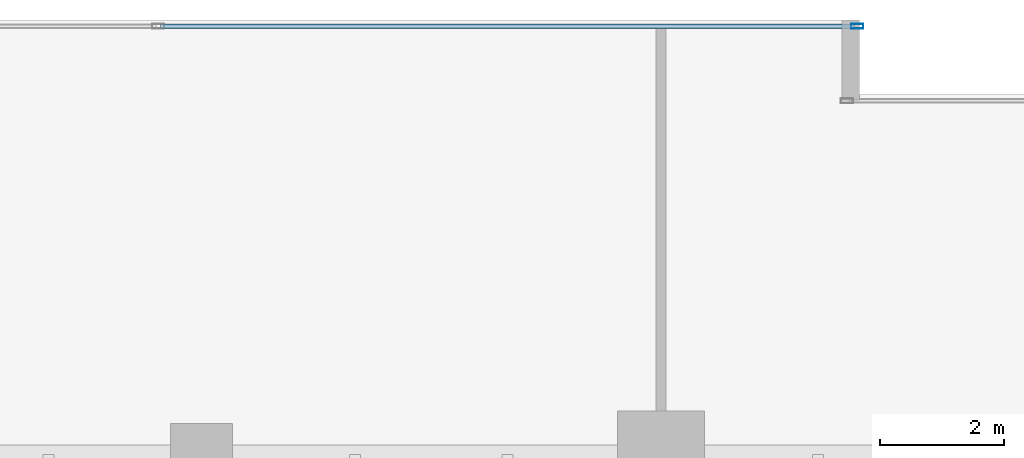
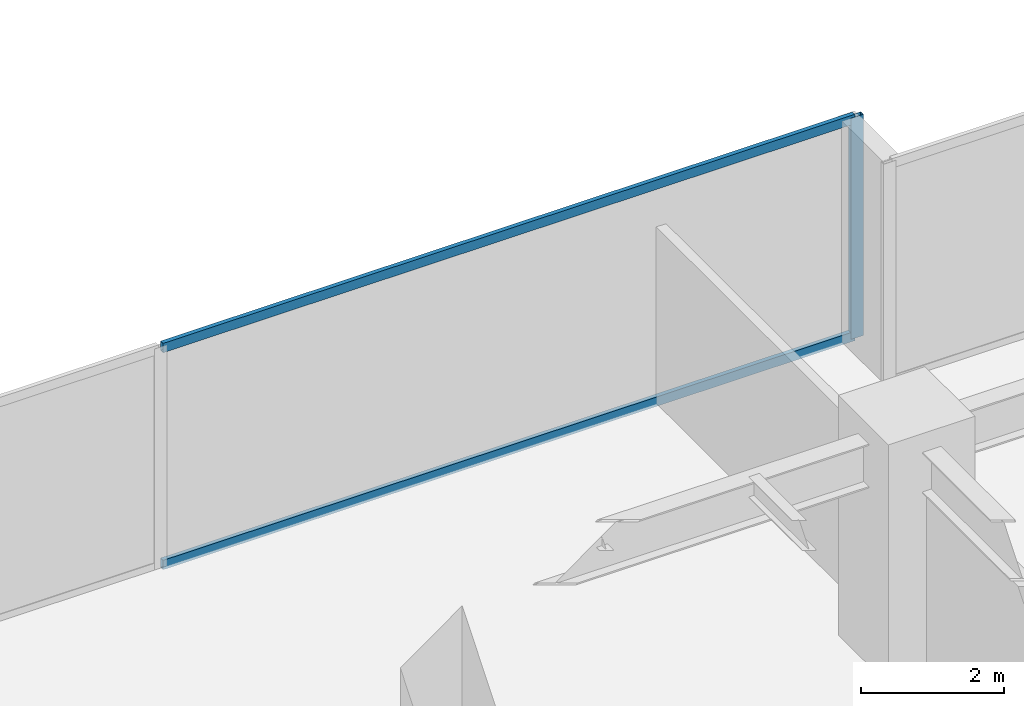
# One storey, part 16 of 35: 3 members, 1 element without a shape of its own.
"""IFC4 building model written with IfcOpenShell, lengths in metres."""

from ifc_helpers import new_model, si_unit, direction, frame, origin, origin_2d, place, context, subcontext, project, spatial, hollow_rectangle, extrude, source, transform, mapped, material, layer, layer_set, material_profile, profile_set, type_object, type_shapes, element, aggregate, save


model = new_model("IFC4")

# Units and contexts
model_context = context("Model", 3, precision=1e-05, world=origin(), true_north=direction((0.0, 1.0)))
body_context = subcontext(model_context, "Body", "Model", "MODEL_VIEW")
ifc_project = project(units=[si_unit("LENGTHUNIT", "METRE"), si_unit("AREAUNIT", "SQUARE_METRE"), si_unit("VOLUMEUNIT", "CUBIC_METRE"), si_unit("PLANEANGLEUNIT", "RADIAN"), si_unit("MASSUNIT", "GRAM", prefix="KILO")], contexts=[model_context])

# Site, building, storey
site_placement = place(None, origin())
site = spatial("IfcSite", under=ifc_project, at=site_placement, CompositionType="ELEMENT")
building_placement = place(site_placement, origin())
building = spatial("IfcBuilding", under=site, at=building_placement, Name="Haelvirn Gate Laboratories", CompositionType="ELEMENT")
storey_placement = place(building_placement, frame((0.0, 0.0, 45.699951171875)))
storey = spatial("IfcBuildingStorey", under=building, at=storey_placement, Name="L11", CompositionType="ELEMENT", Elevation=45.699951171875)

# Curtain wall, members
ifc_material_1 = material(Name="Anodised bronze unitised aluminium & triple low-E glass", Category="aluminium")
ifc_layer = layer(ifc_material_1, 0.18408203125, Name="CW-SYS-2")
ifc_layer_set = layer_set([ifc_layer], Name="Anodised bronze unitised aluminium & triple low-E glass")
curtain_wall_type = type_object("IfcCurtainWallType", Name="CW-SYS-2", PredefinedType="NOTDEFINED", material=ifc_layer_set)
curtain_wall_placement = place(storey_placement, origin())
curtain_wall = element("IfcCurtainWall", 1, at=curtain_wall_placement, inside=storey, type_object=curtain_wall_type, Name="L11 Unitised Curtain Wall CW-L11-P0-E14-1", PredefinedType="NOTDEFINED")
ifc_material_2 = material(Name="Extruded aluminium 6063-T6 (anodised bronze)", Category="aluminium")
ifc_material_profile_1 = material_profile(ifc_material_2, hollow_rectangle(XDim=0.074951171875, YDim=0.199951171875, WallThickness=0.0048828125, at=origin_2d()), Name="CWM-200x75x5")
ifc_profile_set_1 = profile_set([ifc_material_profile_1], Name="Extruded aluminium 6063-T6 (anodised bronze)")
member_type_1 = type_object("IfcMemberType", Name="CWM-T200", PredefinedType="MULLION", material=ifc_profile_set_1)
shared_shape_1 = source(origin(), body_context, "Body", "SweptSolid", [
    extrude(hollow_rectangle(XDim=0.074951171875, YDim=0.199951171875, WallThickness=0.0048828125, at=origin_2d()), origin(), (0.0, 0.0, 1.0), 3.780029296875),
])
type_shapes(member_type_1, [shared_shape_1])
member_1_placement = place(storey_placement, frame((25.362548828125, 48.5, 0.0), z_axis=(0.0, 0.0, 1.0), x_axis=(0.0, 1.0, 0.0)))
member_1 = element("IfcMember", 2, at=member_1_placement, type_object=member_type_1, Name="CW2 mullion 3", PredefinedType="MULLION", context=body_context, shape_type="MappedRepresentation", body=[
    mapped(shared_shape_1, transform((0.0, 0.0, 0.0), scale=1.0)),
])
ifc_material_profile_2 = material_profile(ifc_material_2, hollow_rectangle(XDim=0.070068359375, YDim=0.159912109375, WallThickness=0.0048828125, at=origin_2d()), Name="CWT-160x70x5")
ifc_profile_set_2 = profile_set([ifc_material_profile_2], Name="Extruded aluminium 6063-T6 (anodised bronze)")
member_type_2 = type_object("IfcMemberType", Name="CWT-T160", PredefinedType="USERDEFINED", material=ifc_profile_set_2)
shared_shape_2 = source(origin(), body_context, "Body", "SweptSolid", [
    extrude(hollow_rectangle(XDim=0.070068359375, YDim=0.159912109375, WallThickness=0.0048828125, at=origin_2d()), origin(), (0.0, 0.0, 1.0), 11.1875),
])
type_shapes(member_type_2, [shared_shape_2])
member_2_placement = place(storey_placement, frame((14.137451171875, 48.5, 0.03515625), z_axis=(1.0, 0.0, 0.0), x_axis=(0.0, 1.0, 0.0)))
member_2 = element("IfcMember", 3, at=member_2_placement, type_object=member_type_2, Name="CW2 transom 2.1", ObjectType="TRANSOM", PredefinedType="USERDEFINED", context=body_context, shape_type="MappedRepresentation", body=[
    mapped(shared_shape_2, transform((0.0, 0.0, 0.0), scale=1.0)),
])
member_3_placement = place(storey_placement, frame((14.137451171875, 48.5, 3.7451171875), z_axis=(1.0, 0.0, 0.0), x_axis=(0.0, 1.0, 0.0)))
member_3 = element("IfcMember", 4, at=member_3_placement, type_object=member_type_2, Name="CW2 transom 2.2", ObjectType="TRANSOM", PredefinedType="USERDEFINED", context=body_context, shape_type="MappedRepresentation", body=[
    mapped(shared_shape_2, transform((0.0, 0.0, 0.0), scale=1.0)),
])
aggregate(curtain_wall, [member_1, member_2, member_3])

save(model, "model.ifc")
